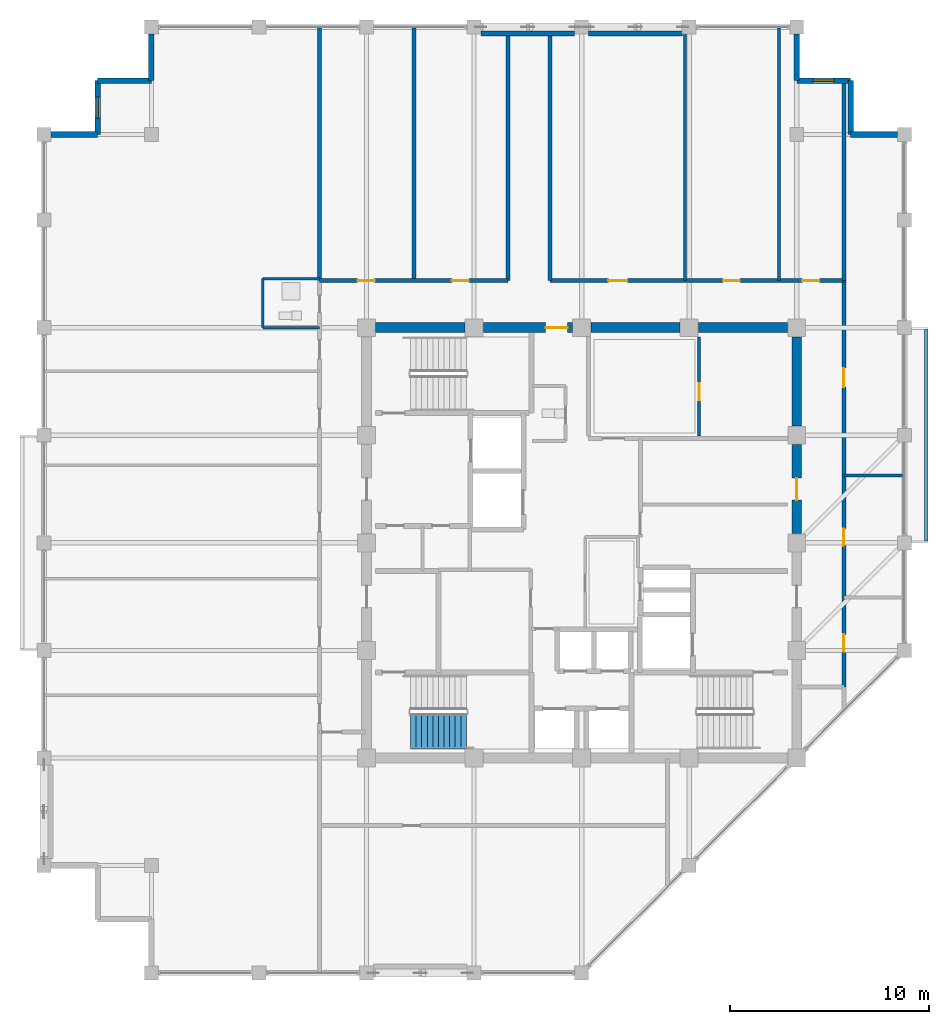
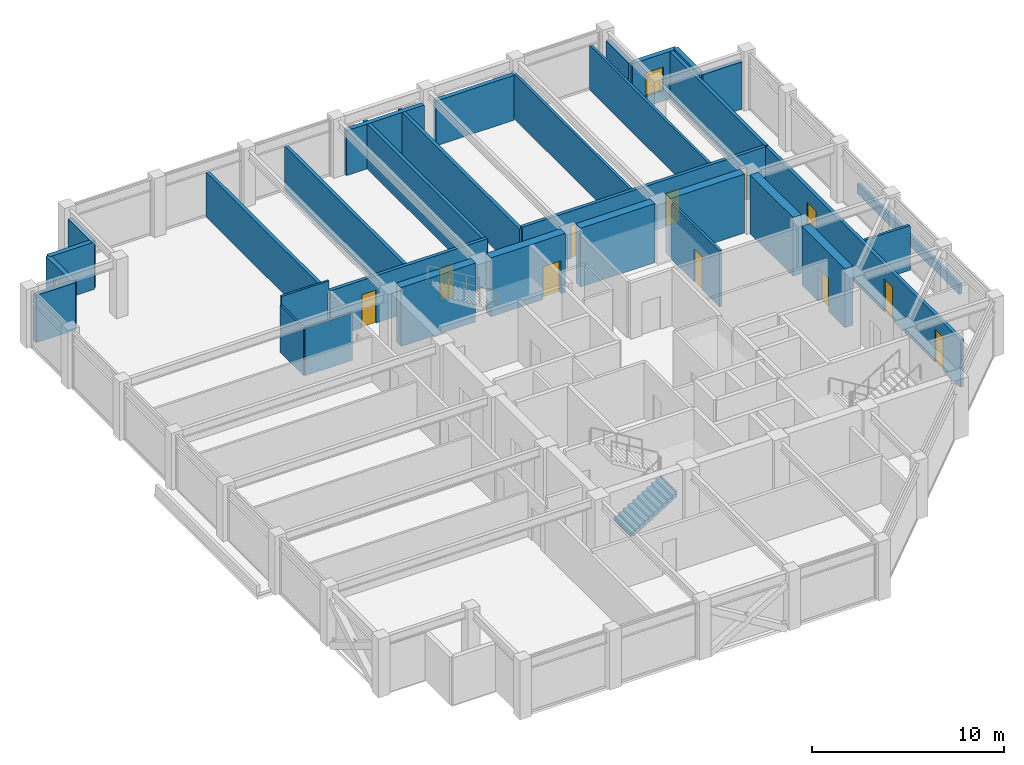
# One storey, part 27 of 30: 32 walls, 11 doors, 2 windows, 1 stair flight, 13 openings, 1 element without a shape of its own.
"""IFC4 building model written with IfcOpenShell, lengths in metres."""

from ifc_helpers import new_model, si_unit, direction, frame, frame_2d, origin, place, context, subcontext, project, spatial, polyline, rectangle, outline, extrude, material, layer, layer_set, type_object, element, fill, aggregate, save


model = new_model("IFC4")

# Units and contexts
model_context = context("Model", 3, precision=1e-05, world=origin(), true_north=direction((0.0, 1.0)))
body_context = subcontext(model_context, "Body", "Model", "MODEL_VIEW")
ifc_project = project(units=[si_unit("LENGTHUNIT", "METRE"), si_unit("AREAUNIT", "SQUARE_METRE"), si_unit("VOLUMEUNIT", "CUBIC_METRE"), si_unit("PLANEANGLEUNIT", "RADIAN"), si_unit("MASSUNIT", "GRAM", prefix="KILO")], contexts=[model_context])

# Site, building, storey
site_placement = place(None, origin())
site = spatial("IfcSite", under=ifc_project, at=site_placement, CompositionType="ELEMENT")
building_placement = place(site_placement, origin())
building = spatial("IfcBuilding", under=site, at=building_placement, Name="Surkhivell Harbour Commons", CompositionType="ELEMENT")
storey_placement = place(building_placement, frame((0.0, 0.0, 281.25)))
storey = spatial("IfcBuildingStorey", under=building, at=storey_placement, Name="L73", CompositionType="ELEMENT", Elevation=281.25)

# Wall
ifc_material_1 = material(Name="Concrete C50/60", Category="concrete")
ifc_layer_1 = layer(ifc_material_1, 0.5)
ifc_layer_set_1 = layer_set([ifc_layer_1], Name="Concrete C50/60")
wall_type_1 = type_object("IfcWallType", Name="WAL-CORE-500", PredefinedType="SHEAR", material=ifc_layer_set_1)
wall_1_placement = place(storey_placement, frame((-10.340087890625, 10.800048828125, 0.0), z_axis=(0.0, 0.0, 1.0), x_axis=(1.0, 0.0, 0.0)))
element("IfcWall", 1, at=wall_1_placement, inside=storey, type_object=wall_type_1, Name="L73 Core Shear Wall North 1", PredefinedType="SHEAR", context=body_context, shape_type="SweptSolid", body=[
    extrude(rectangle(XDim=4.47998046875, YDim=0.5, at=frame_2d((2.239990234375, 0.0))), origin(), (0.0, 0.0, 1.0), 3.75),
])

# Wall, opening, door
wall_2_placement = place(storey_placement, frame((-4.93994140625, 10.800048828125, 0.0), z_axis=(0.0, 0.0, 1.0), x_axis=(1.0, 0.0, 0.0)))
wall_2 = element("IfcWall", 2, at=wall_2_placement, inside=storey, type_object=wall_type_1, Name="L73 Core Shear Wall North 2", PredefinedType="SHEAR", context=body_context, shape_type="SweptSolid", body=[
    extrude(rectangle(XDim=4.47998046875, YDim=0.5, at=frame_2d((2.239990234375, 0.0))), origin(), (0.0, 0.0, 1.0), 3.75),
])
opening_1_placement = place(wall_2_placement, frame((3.1298828125, 0.0, 0.0)))
opening_1 = element("IfcOpeningElement", 3, at=opening_1_placement, cuts=wall_2, Name="Opening ID-2", PredefinedType="OPENING", context=body_context, shape_type="SweptSolid", body=[
    extrude(rectangle(XDim=1.10009765625, YDim=2.10009765625, at=frame_2d((0.550048828125, 1.050048828125))), frame((0.0, 0.260009765625, 0.0), z_axis=(0.0, -1.0, 0.0), x_axis=(1.0, 0.0, 0.0)), (0.0, 0.0, 1.0), 0.52001953125),
])
ifc_material_2 = material(Name="Hardwood-veneered fire-rated door leaf", Category="wood")
door_type_1 = type_object("IfcDoorType", Name="DOR-FD60-1100", OperationType="NOTDEFINED", PredefinedType="DOOR", material=ifc_material_2)
door_1_placement = place(opening_1_placement, origin())
door_1 = element("IfcDoor", 4, at=door_1_placement, inside=storey, type_object=door_type_1, Name="L73 Central Core Lift Hall North Corridor Door", OperationType="SINGLE_SWING_LEFT", OverallHeight=2.10009765625, OverallWidth=1.10009765625, PredefinedType="DOOR", context=body_context, shape_type="SweptSolid", body=[
    extrude(rectangle(XDim=1.10009765625, YDim=2.10009765625, at=frame_2d((0.550048828125, 1.050048828125))), frame((0.0, 0.02490234375, 0.0), z_axis=(0.0, -1.0, 0.0), x_axis=(1.0, 0.0, 0.0)), (0.0, 0.0, 1.0), 0.050048828125),
])
fill(opening_1, door_1)

# Wall
wall_3_placement = place(storey_placement, frame((0.4599609375, 10.800048828125, 0.0), z_axis=(0.0, 0.0, 1.0), x_axis=(1.0, 0.0, 0.0)))
element("IfcWall", 5, at=wall_3_placement, inside=storey, type_object=wall_type_1, Name="L73 Core Shear Wall North 3", PredefinedType="SHEAR", context=body_context, shape_type="SweptSolid", body=[
    extrude(rectangle(XDim=4.47998046875, YDim=0.5, at=frame_2d((2.239990234375, 0.0))), origin(), (0.0, 0.0, 1.0), 3.75),
])

# Wall, opening, door
wall_4_placement = place(storey_placement, frame((10.800048828125, 0.4599609375, 0.0), z_axis=(0.0, 0.0, 1.0), x_axis=(0.0, 1.0, 0.0)))
wall_4 = element("IfcWall", 6, at=wall_4_placement, inside=storey, type_object=wall_type_1, Name="L73 Core Shear Wall East 3", PredefinedType="SHEAR", context=body_context, shape_type="SweptSolid", body=[
    extrude(rectangle(XDim=4.47998046875, YDim=0.5, at=frame_2d((2.239990234375, 0.0))), origin(), (0.0, 0.0, 1.0), 3.75),
])
opening_2_placement = place(wall_4_placement, frame((1.68994140625, 0.0, 0.0)))
opening_2 = element("IfcOpeningElement", 7, at=opening_2_placement, cuts=wall_4, Name="Opening ID-2", PredefinedType="OPENING", context=body_context, shape_type="SweptSolid", body=[
    extrude(rectangle(XDim=1.10009765625, YDim=2.10009765625, at=frame_2d((0.550048828125, 1.050048828125))), frame((0.0, 0.260009765625, 0.0), z_axis=(0.0, -1.0, 0.0), x_axis=(1.0, 0.0, 0.0)), (0.0, 0.0, 1.0), 0.52001953125),
])
door_2_placement = place(opening_2_placement, origin())
door_2 = element("IfcDoor", 8, at=door_2_placement, inside=storey, type_object=door_type_1, Name="L73 Quiet Study B East Door", OperationType="SINGLE_SWING_RIGHT", OverallHeight=2.10009765625, OverallWidth=1.10009765625, PredefinedType="DOOR", context=body_context, shape_type="SweptSolid", body=[
    extrude(rectangle(XDim=1.10009765625, YDim=2.10009765625, at=frame_2d((0.550048828125, 1.050048828125))), frame((0.0, 0.02490234375, 0.0), z_axis=(0.0, -1.0, 0.0), x_axis=(1.0, 0.0, 0.0)), (0.0, 0.0, 1.0), 0.050048828125),
])
fill(opening_2, door_2)

# Walls
for number, where, z_axis, x_axis, name in (
    (9, (5.860107421875, 10.800048828125, 0.0), (0.0, 0.0, 1.0), (1.0, 0.0, 0.0), "L73 Core Shear Wall North 4"),
    (10, (10.800048828125, 5.860107421875, 0.0), (0.0, 0.0, 1.0), (0.0, 1.0, 0.0), "L73 Core Shear Wall East 4"),
):
    element("IfcWall", number, at=place(storey_placement, frame(where, z_axis=z_axis, x_axis=x_axis)), inside=storey, type_object=wall_type_1, Name=name, PredefinedType="SHEAR", context=body_context, shape_type="SweptSolid", body=[
        extrude(rectangle(XDim=4.47998046875, YDim=0.5, at=frame_2d((2.239990234375, 0.0))), origin(), (0.0, 0.0, 1.0), 3.75),
    ])
ifc_material_3 = material(Name="Pale-metal insulated precast concrete C45/55", Category="concrete")
ifc_layer_2 = layer(ifc_material_3, 0.260009765625)
ifc_layer_set_2 = layer_set([ifc_layer_2], Name="Pale-metal insulated precast concrete C45/55")
wall_type_2 = type_object("IfcWallType", Name="WAL-EXT-MTL260", PredefinedType="STANDARD", material=ifc_layer_set_2)
for number, where, z_axis, x_axis, name in (
    (11, (-0.347900390625, 25.56494140625, 0.0), (0.0, 0.0, 1.0), (-1.0, 0.0, 0.0), "L73 Braced-Bay Insulated Spandrel Backing N"),
    (12, (5.052001953125, 25.56494140625, 0.0), (0.0, 0.0, 1.0), (-1.0, 0.0, 0.0), "L73 Braced-Bay Insulated Spandrel Backing N2"),
):
    element("IfcWall", number, at=place(storey_placement, frame(where, z_axis=z_axis, x_axis=x_axis)), inside=storey, type_object=wall_type_2, Name=name, PredefinedType="STANDARD", context=body_context, shape_type="SweptSolid", body=[
        extrude(rectangle(XDim=4.7041015625, YDim=0.260009765625, at=frame_2d((2.35205078125, 0.0))), origin(), (0.0, 0.0, 1.0), 2.85693359375),
    ])
ifc_material_4 = material(Name="Terracotta-clad reinforced concrete C45/55", Category="masonry")
ifc_layer_3 = layer(ifc_material_4, 0.280029296875)
ifc_layer_set_3 = layer_set([ifc_layer_3], Name="Terracotta-clad reinforced concrete C45/55")
wall_type_3 = type_object("IfcWallType", Name="WAL-EXT-TER280", PredefinedType="STANDARD", material=ifc_layer_set_3)
wall_5_placement = place(storey_placement, frame((15.85205078125, 20.5, 0.0), z_axis=(0.0, 0.0, 1.0), x_axis=(-1.0, 0.0, 0.0)))
element("IfcWall", 13, at=wall_5_placement, inside=storey, type_object=wall_type_3, Name="L73 Serrated Corner Facade Wall 03", PredefinedType="STANDARD", context=body_context, shape_type="SweptSolid", body=[
    extrude(rectangle(XDim=2.35205078125, YDim=0.280029296875, at=frame_2d((1.176025390625, 0.0))), origin(), (0.0, 0.0, 1.0), 3.012939453125),
])
wall_6_placement = place(storey_placement, frame((13.5, 20.5, 0.0), z_axis=(0.0, 0.0, 1.0), x_axis=(0.0, 1.0, 0.0)))
element("IfcWall", 14, at=wall_6_placement, inside=storey, type_object=wall_type_3, Name="L73 Serrated Corner Facade Wall 04", PredefinedType="STANDARD", context=body_context, shape_type="SweptSolid", body=[
    extrude(rectangle(XDim=2.699951171875, YDim=0.280029296875, at=frame_2d((1.35009765625, 0.0))), origin(), (0.0, 0.0, 1.0), 3.012939453125),
])

# Wall, opening, window
wall_7_placement = place(storey_placement, frame((13.5, 23.199951171875, 0.0), z_axis=(0.0, 0.0, 1.0), x_axis=(-1.0, 0.0, 0.0)))
wall_7 = element("IfcWall", 15, at=wall_7_placement, inside=storey, type_object=wall_type_3, Name="L73 Serrated Corner Facade Wall 05", PredefinedType="STANDARD", context=body_context, shape_type="SweptSolid", body=[
    extrude(rectangle(XDim=2.699951171875, YDim=0.280029296875, at=frame_2d((1.35009765625, 0.0))), origin(), (0.0, 0.0, 1.0), 3.012939453125),
])
opening_3_placement = place(wall_7_placement, frame((0.824951171875, 0.0, 0.64990234375)))
opening_3 = element("IfcOpeningElement", 16, at=opening_3_placement, cuts=wall_7, Name="Opening WN-11", PredefinedType="OPENING", context=body_context, shape_type="SweptSolid", body=[
    extrude(rectangle(XDim=1.050048828125, YDim=1.5, at=frame_2d((0.52490234375, 0.75))), frame((0.0, 0.14990234375, 0.0), z_axis=(0.0, -1.0, 0.0), x_axis=(1.0, 0.0, 0.0)), (0.0, 0.0, 1.0), 0.300048828125),
])
ifc_material_5 = material(Name="Thermal-break aluminium frame and double low-E glazing", Category="aluminium")
window_type = type_object("IfcWindowType", Name="WIN-SER-1050x1500", PartitioningType="SINGLE_PANEL", PredefinedType="WINDOW", material=ifc_material_5)
window_1_placement = place(opening_3_placement, origin())
window_1 = element("IfcWindow", 17, at=window_1_placement, inside=storey, type_object=window_type, Name="L73 Serrated Alcove Window 05", OverallHeight=1.5, OverallWidth=1.050048828125, PartitioningType="SINGLE_PANEL", PredefinedType="WINDOW", context=body_context, shape_type="SweptSolid", body=[
    extrude(rectangle(XDim=1.050048828125, YDim=1.5, at=frame_2d((0.52490234375, 0.75))), frame((0.0, 0.030029296875, 0.0), z_axis=(0.0, -1.0, 0.0), x_axis=(1.0, 0.0, 0.0)), (0.0, 0.0, 1.0), 0.06005859375),
])
fill(opening_3, window_1)

# Walls
for number, where, z_axis, x_axis, name in (
    (18, (10.800048828125, 23.199951171875, 0.0), (0.0, 0.0, 1.0), (0.0, 1.0, 0.0), "L73 Serrated Corner Facade Wall 06"),
    (19, (-21.60009765625, 25.552001953125, 0.0), (0.0, 0.0, 1.0), (0.0, -1.0, 0.0), "L73 Serrated Corner Facade Wall 08"),
):
    element("IfcWall", number, at=place(storey_placement, frame(where, z_axis=z_axis, x_axis=x_axis)), inside=storey, type_object=wall_type_3, Name=name, PredefinedType="STANDARD", context=body_context, shape_type="SweptSolid", body=[
        extrude(rectangle(XDim=2.35205078125, YDim=0.280029296875, at=frame_2d((1.176025390625, 0.0))), origin(), (0.0, 0.0, 1.0), 3.012939453125),
    ])
wall_8_placement = place(storey_placement, frame((-21.60009765625, 23.199951171875, 0.0), z_axis=(0.0, 0.0, 1.0), x_axis=(-1.0, 0.0, 0.0)))
element("IfcWall", 20, at=wall_8_placement, inside=storey, type_object=wall_type_3, Name="L73 Serrated Corner Facade Wall 09", PredefinedType="STANDARD", context=body_context, shape_type="SweptSolid", body=[
    extrude(rectangle(XDim=2.699951171875, YDim=0.280029296875, at=frame_2d((1.35009765625, 0.0))), origin(), (0.0, 0.0, 1.0), 3.012939453125),
])

# Wall, opening, window
wall_9_placement = place(storey_placement, frame((-24.300048828125, 23.199951171875, 0.0), z_axis=(0.0, 0.0, 1.0), x_axis=(0.0, -1.0, 0.0)))
wall_9 = element("IfcWall", 21, at=wall_9_placement, inside=storey, type_object=wall_type_3, Name="L73 Serrated Corner Facade Wall 10", PredefinedType="STANDARD", context=body_context, shape_type="SweptSolid", body=[
    extrude(rectangle(XDim=2.699951171875, YDim=0.280029296875, at=frame_2d((1.35009765625, 0.0))), origin(), (0.0, 0.0, 1.0), 3.012939453125),
])
opening_4_placement = place(wall_9_placement, frame((0.824951171875, 0.0, 0.64990234375)))
opening_4 = element("IfcOpeningElement", 22, at=opening_4_placement, cuts=wall_9, Name="Opening WN-11", PredefinedType="OPENING", context=body_context, shape_type="SweptSolid", body=[
    extrude(rectangle(XDim=1.050048828125, YDim=1.5, at=frame_2d((0.52490234375, 0.75))), frame((0.0, 0.14990234375, 0.0), z_axis=(0.0, -1.0, 0.0), x_axis=(1.0, 0.0, 0.0)), (0.0, 0.0, 1.0), 0.300048828125),
])
window_2_placement = place(opening_4_placement, origin())
window_2 = element("IfcWindow", 23, at=window_2_placement, inside=storey, type_object=window_type, Name="L73 Serrated Alcove Window 10", OverallHeight=1.5, OverallWidth=1.050048828125, PartitioningType="SINGLE_PANEL", PredefinedType="WINDOW", context=body_context, shape_type="SweptSolid", body=[
    extrude(rectangle(XDim=1.050048828125, YDim=1.5, at=frame_2d((0.52490234375, 0.75))), frame((0.0, 0.030029296875, 0.0), z_axis=(0.0, -1.0, 0.0), x_axis=(1.0, 0.0, 0.0)), (0.0, 0.0, 1.0), 0.06005859375),
])
fill(opening_4, window_2)

# Walls
wall_10_placement = place(storey_placement, frame((-24.300048828125, 20.5, 0.0), z_axis=(0.0, 0.0, 1.0), x_axis=(-1.0, 0.0, 0.0)))
element("IfcWall", 24, at=wall_10_placement, inside=storey, type_object=wall_type_3, Name="L73 Serrated Corner Facade Wall 11", PredefinedType="STANDARD", context=body_context, shape_type="SweptSolid", body=[
    extrude(rectangle(XDim=2.35205078125, YDim=0.280029296875, at=frame_2d((1.176025390625, 0.0))), origin(), (0.0, 0.0, 1.0), 3.012939453125),
])
ifc_material_6 = material(Name="Moisture-resistant acoustic stud partition", Category="other")
ifc_layer_4 = layer(ifc_material_6, 0.125)
ifc_layer_set_4 = layer_set([ifc_layer_4], Name="Moisture-resistant acoustic stud partition")
wall_type_4 = type_object("IfcWallType", Name="WAL-INT-125", PredefinedType="PARTITIONING", material=ifc_layer_set_4)
wall_11_placement = place(storey_placement, frame((-16.010009765625, 10.81005859375, 0.0), z_axis=(0.0, 0.0, 1.0), x_axis=(0.0, 1.0, 0.0)))
element("IfcWall", 25, at=wall_11_placement, inside=storey, type_object=wall_type_4, Name="L73 West Partition BTHB", PredefinedType="PARTITIONING", context=body_context, shape_type="SweptSolid", body=[
    extrude(rectangle(XDim=2.449951171875, YDim=0.125, at=frame_2d((1.22509765625, 0.0))), origin(), (0.0, 0.0, 1.0), 3.012939453125),
])
wall_12_placement = place(storey_placement, frame((-16.010009765625, 13.260009765625, 0.0), z_axis=(0.0, 0.0, 1.0), x_axis=(1.0, 0.0, 0.0)))
element("IfcWall", 26, at=wall_12_placement, inside=storey, type_object=wall_type_4, Name="L73 West Partition BTHN", PredefinedType="PARTITIONING", context=body_context, shape_type="SweptSolid", body=[
    extrude(rectangle(XDim=2.85009765625, YDim=0.125, at=frame_2d((1.425048828125, 0.0))), origin(), (0.0, 0.0, 1.0), 3.570068359375),
])
wall_13_placement = place(storey_placement, frame((-16.010009765625, 10.81005859375, 0.0), z_axis=(0.0, 0.0, 1.0), x_axis=(1.0, 0.0, 0.0)))
element("IfcWall", 27, at=wall_13_placement, inside=storey, type_object=wall_type_4, Name="L73 West Partition BTHS", PredefinedType="PARTITIONING", context=body_context, shape_type="SweptSolid", body=[
    extrude(rectangle(XDim=2.85009765625, YDim=0.125, at=frame_2d((1.425048828125, 0.0))), origin(), (0.0, 0.0, 1.0), 3.012939453125),
])

# Wall, opening, door
ifc_material_7 = material(Name="Twin-stud acoustic fireboard partition", Category="other")
ifc_layer_5 = layer(ifc_material_7, 0.14990234375)
ifc_layer_set_5 = layer_set([ifc_layer_5], Name="Twin-stud acoustic fireboard partition")
wall_type_5 = type_object("IfcWallType", Name="WAL-INT-150", PredefinedType="PARTITIONING", material=ifc_layer_set_5)
wall_14_placement = place(storey_placement, frame((5.89990234375, 5.360107421875, 0.0), z_axis=(0.0, 0.0, 1.0), x_axis=(0.0, 1.0, 0.0)))
wall_14 = element("IfcWall", 28, at=wall_14_placement, inside=storey, type_object=wall_type_5, Name="L73 Study Pod Wall 1", PredefinedType="PARTITIONING", context=body_context, shape_type="SweptSolid", body=[
    extrude(rectangle(XDim=4.97998046875, YDim=0.14990234375, at=frame_2d((2.489990234375, 0.0))), origin(), (0.0, 0.0, 1.0), 3.570068359375),
])
opening_5_placement = place(wall_14_placement, frame((1.800048828125, 0.0, 0.0)))
opening_5 = element("IfcOpeningElement", 29, at=opening_5_placement, cuts=wall_14, Name="Opening ID-6", PredefinedType="OPENING", context=body_context, shape_type="SweptSolid", body=[
    extrude(rectangle(XDim=0.85009765625, YDim=2.10009765625, at=frame_2d((0.425048828125, 1.050048828125))), frame((0.0, 0.0849609375, 0.0), z_axis=(0.0, -1.0, 0.0), x_axis=(1.0, 0.0, 0.0)), (0.0, 0.0, 1.0), 0.169921875),
])
door_type_2 = type_object("IfcDoorType", Name="DOR-FD30-850", OperationType="NOTDEFINED", PredefinedType="DOOR", material=ifc_material_2)
door_3_placement = place(opening_5_placement, origin())
door_3 = element("IfcDoor", 30, at=door_3_placement, inside=storey, type_object=door_type_2, Name="L73 Core Music Door", OperationType="SINGLE_SWING_RIGHT", OverallHeight=2.10009765625, OverallWidth=0.85009765625, PredefinedType="DOOR", context=body_context, shape_type="SweptSolid", body=[
    extrude(rectangle(XDim=0.85009765625, YDim=2.10009765625, at=frame_2d((0.425048828125, 1.050048828125))), frame((0.0, 0.02490234375, 0.0), z_axis=(0.0, -1.0, 0.0), x_axis=(1.0, 0.0, 0.0)), (0.0, 0.0, 1.0), 0.050048828125),
])
fill(opening_5, door_3)

# Walls
wall_15_placement = place(storey_placement, frame((13.159912109375, 3.3701171875, 0.0), z_axis=(0.0, 0.0, 1.0), x_axis=(1.0, 0.0, 0.0)))
element("IfcWall", 31, at=wall_15_placement, inside=storey, type_object=wall_type_5, Name="L73 East Partition P2", PredefinedType="PARTITIONING", context=body_context, shape_type="SweptSolid", body=[
    extrude(rectangle(XDim=2.97998046875, YDim=0.14990234375, at=frame_2d((1.489990234375, 0.0))), origin(), (0.0, 0.0, 1.0), 2.85693359375),
])
for number, where, z_axis, x_axis, name in (
    (32, (5.18994140625, 13.159912109375, 0.0), (0.0, 0.0, 1.0), (0.0, 1.0, 0.0), "L73 North-East Partition P1"),
    (33, (9.909912109375, 13.159912109375, 0.0), (0.0, 0.0, 1.0), (0.0, 1.0, 0.0), "L73 North-East Partition P2"),
):
    element("IfcWall", number, at=place(storey_placement, frame(where, z_axis=z_axis, x_axis=x_axis)), inside=storey, type_object=wall_type_5, Name=name, PredefinedType="PARTITIONING", context=body_context, shape_type="SweptSolid", body=[
        extrude(rectangle(XDim=12.68017578125, YDim=0.14990234375, at=frame_2d((6.340087890625, 0.0))), origin(), (0.0, 0.0, 1.0), 2.85693359375),
    ])
ifc_material_8 = material(Name="Autoclaved aerated concrete blockwork and fire plaster", Category="masonry")
ifc_layer_6 = layer(ifc_material_8, 0.199951171875)
ifc_layer_set_6 = layer_set([ifc_layer_6], Name="Autoclaved aerated concrete blockwork and fire plaster")
wall_type_6 = type_object("IfcWallType", Name="WAL-INT-200", PredefinedType="PARTITIONING", material=ifc_layer_set_6)
wall_16_placement = place(storey_placement, frame((13.159912109375, 13.159912109375, 0.0), z_axis=(0.0, 0.0, 1.0), x_axis=(0.0, 1.0, 0.0)))
element("IfcWall", 34, at=wall_16_placement, inside=storey, type_object=wall_type_6, Name="L73 North-East Corner Wall", PredefinedType="PARTITIONING", context=body_context, shape_type="SweptSolid", body=[
    extrude(rectangle(XDim=9.97998046875, YDim=0.199951171875, at=frame_2d((4.989990234375, 0.0))), origin(), (0.0, 0.0, 1.0), 3.012939453125),
])
wall_17_placement = place(storey_placement, frame((-13.159912109375, 13.159912109375, 0.0), z_axis=(0.0, 0.0, 1.0), x_axis=(0.0, 1.0, 0.0)))
element("IfcWall", 35, at=wall_17_placement, inside=storey, type_object=wall_type_6, Name="L73 North-West Corner Wall", PredefinedType="PARTITIONING", context=body_context, shape_type="SweptSolid", body=[
    extrude(rectangle(XDim=12.68017578125, YDim=0.199951171875, at=frame_2d((6.340087890625, 0.0))), origin(), (0.0, 0.0, 1.0), 2.85693359375),
])

# Wall, openings, doors
wall_18_placement = place(storey_placement, frame((13.159912109375, -7.239990234375, 0.0), z_axis=(0.0, 0.0, 1.0), x_axis=(0.0, 1.0, 0.0)))
wall_18 = element("IfcWall", 36, at=wall_18_placement, inside=storey, type_object=wall_type_6, Name="L73 East Corridor Wall", PredefinedType="PARTITIONING", context=body_context, shape_type="SweptSolid", body=[
    extrude(rectangle(XDim=20.39990234375, YDim=0.199951171875, at=frame_2d((10.199951171875, 0.0))), origin(), (0.0, 0.0, 1.0), 3.012939453125),
])
opening_6_placement = place(wall_18_placement, frame((1.794921875, 0.0, 0.0)))
opening_6 = element("IfcOpeningElement", 37, at=opening_6_placement, cuts=wall_18, Name="Opening ID-6", PredefinedType="OPENING", context=body_context, shape_type="SweptSolid", body=[
    extrude(rectangle(XDim=0.85009765625, YDim=2.10009765625, at=frame_2d((0.425048828125, 1.050048828125))), frame((0.0, 0.10986328125, 0.0), z_axis=(0.0, -1.0, 0.0), x_axis=(1.0, 0.0, 0.0)), (0.0, 0.0, 1.0), 0.219970703125),
])
opening_7_placement = place(wall_18_placement, frame((7.10009765625, 0.0, 0.0)))
opening_7 = element("IfcOpeningElement", 38, at=opening_7_placement, cuts=wall_18, Name="Opening ID-6", PredefinedType="OPENING", context=body_context, shape_type="SweptSolid", body=[
    extrude(rectangle(XDim=0.85009765625, YDim=2.10009765625, at=frame_2d((0.425048828125, 1.050048828125))), frame((0.0, 0.10986328125, 0.0), z_axis=(0.0, -1.0, 0.0), x_axis=(1.0, 0.0, 0.0)), (0.0, 0.0, 1.0), 0.219970703125),
])
opening_8_placement = place(wall_18_placement, frame((15.054931640625, 0.0, 0.0)))
opening_8 = element("IfcOpeningElement", 39, at=opening_8_placement, cuts=wall_18, Name="Opening ID-4", PredefinedType="OPENING", context=body_context, shape_type="SweptSolid", body=[
    extrude(rectangle(XDim=0.949951171875, YDim=2.10009765625, at=frame_2d((0.47509765625, 1.050048828125))), frame((0.0, 0.10986328125, 0.0), z_axis=(0.0, -1.0, 0.0), x_axis=(1.0, 0.0, 0.0)), (0.0, 0.0, 1.0), 0.219970703125),
])
door_4_placement = place(opening_6_placement, origin())
door_4 = element("IfcDoor", 40, at=door_4_placement, inside=storey, type_object=door_type_2, Name="L73 Co-Working Study Office 1 East Door", OperationType="SINGLE_SWING_RIGHT", OverallHeight=2.10009765625, OverallWidth=0.85009765625, PredefinedType="DOOR", context=body_context, shape_type="SweptSolid", body=[
    extrude(rectangle(XDim=0.85009765625, YDim=2.10009765625, at=frame_2d((0.425048828125, 1.050048828125))), frame((0.0, 0.02490234375, 0.0), z_axis=(0.0, -1.0, 0.0), x_axis=(1.0, 0.0, 0.0)), (0.0, 0.0, 1.0), 0.050048828125),
])
fill(opening_6, door_4)
door_5_placement = place(opening_7_placement, origin())
door_5 = element("IfcDoor", 41, at=door_5_placement, inside=storey, type_object=door_type_2, Name="L73 Co-Working Study Office 2 East Door", OperationType="SINGLE_SWING_LEFT", OverallHeight=2.10009765625, OverallWidth=0.85009765625, PredefinedType="DOOR", context=body_context, shape_type="SweptSolid", body=[
    extrude(rectangle(XDim=0.85009765625, YDim=2.10009765625, at=frame_2d((0.425048828125, 1.050048828125))), frame((0.0, 0.02490234375, 0.0), z_axis=(0.0, -1.0, 0.0), x_axis=(1.0, 0.0, 0.0)), (0.0, 0.0, 1.0), 0.050048828125),
])
fill(opening_7, door_5)
door_type_3 = type_object("IfcDoorType", Name="DOR-FD60-950", OperationType="NOTDEFINED", PredefinedType="DOOR", material=ifc_material_2)
door_6_placement = place(opening_8_placement, origin())
door_6 = element("IfcDoor", 42, at=door_6_placement, inside=storey, type_object=door_type_3, Name="L73 Co-Working Study Office 3 East Door", OperationType="SINGLE_SWING_RIGHT", OverallHeight=2.10009765625, OverallWidth=0.949951171875, PredefinedType="DOOR", context=body_context, shape_type="SweptSolid", body=[
    extrude(rectangle(XDim=0.949951171875, YDim=2.10009765625, at=frame_2d((0.47509765625, 1.050048828125))), frame((0.0, 0.02490234375, 0.0), z_axis=(0.0, -1.0, 0.0), x_axis=(1.0, 0.0, 0.0)), (0.0, 0.0, 1.0), 0.050048828125),
])
fill(opening_8, door_6)

wall_19_placement = place(storey_placement, frame((-13.159912109375, 13.159912109375, 0.0), z_axis=(0.0, 0.0, 1.0), x_axis=(1.0, 0.0, 0.0)))
wall_19 = element("IfcWall", 43, at=wall_19_placement, inside=storey, type_object=wall_type_6, Name="L73 North-West Corridor Wall", PredefinedType="PARTITIONING", context=body_context, shape_type="SweptSolid", body=[
    extrude(rectangle(XDim=9.4599609375, YDim=0.199951171875, at=frame_2d((4.72998046875, 0.0))), origin(), (0.0, 0.0, 1.0), 3.012939453125),
])
opening_9_placement = place(wall_19_placement, frame((1.9150390625, 0.0, 0.0)))
opening_9 = element("IfcOpeningElement", 44, at=opening_9_placement, cuts=wall_19, Name="Opening ID-6", PredefinedType="OPENING", context=body_context, shape_type="SweptSolid", body=[
    extrude(rectangle(XDim=0.85009765625, YDim=2.10009765625, at=frame_2d((0.425048828125, 1.050048828125))), frame((0.0, 0.10986328125, 0.0), z_axis=(0.0, -1.0, 0.0), x_axis=(1.0, 0.0, 0.0)), (0.0, 0.0, 1.0), 0.219970703125),
])
opening_10_placement = place(wall_19_placement, frame((6.64501953125, 0.0, 0.0)))
opening_10 = element("IfcOpeningElement", 45, at=opening_10_placement, cuts=wall_19, Name="Opening ID-6", PredefinedType="OPENING", context=body_context, shape_type="SweptSolid", body=[
    extrude(rectangle(XDim=0.85009765625, YDim=2.10009765625, at=frame_2d((0.425048828125, 1.050048828125))), frame((0.0, 0.10986328125, 0.0), z_axis=(0.0, -1.0, 0.0), x_axis=(1.0, 0.0, 0.0)), (0.0, 0.0, 1.0), 0.219970703125),
])
door_7_placement = place(opening_9_placement, origin())
door_7 = element("IfcDoor", 46, at=door_7_placement, inside=storey, type_object=door_type_2, Name="L73 Campus Co-Op Bookshop North-West Door", OperationType="SINGLE_SWING_LEFT", OverallHeight=2.10009765625, OverallWidth=0.85009765625, PredefinedType="DOOR", context=body_context, shape_type="SweptSolid", body=[
    extrude(rectangle(XDim=0.85009765625, YDim=2.10009765625, at=frame_2d((0.425048828125, 1.050048828125))), frame((0.0, 0.02490234375, 0.0), z_axis=(0.0, -1.0, 0.0), x_axis=(1.0, 0.0, 0.0)), (0.0, 0.0, 1.0), 0.050048828125),
])
fill(opening_9, door_7)
door_8_placement = place(opening_10_placement, origin())
door_8 = element("IfcDoor", 47, at=door_8_placement, inside=storey, type_object=door_type_2, Name="L73 Harbour Espresso Cafe Shop North-West Door", OperationType="SINGLE_SWING_RIGHT", OverallHeight=2.10009765625, OverallWidth=0.85009765625, PredefinedType="DOOR", context=body_context, shape_type="SweptSolid", body=[
    extrude(rectangle(XDim=0.85009765625, YDim=2.10009765625, at=frame_2d((0.425048828125, 1.050048828125))), frame((0.0, 0.02490234375, 0.0), z_axis=(0.0, -1.0, 0.0), x_axis=(1.0, 0.0, 0.0)), (0.0, 0.0, 1.0), 0.050048828125),
])
fill(opening_10, door_8)

wall_20_placement = place(storey_placement, frame((-1.60009765625, 13.159912109375, 0.0), z_axis=(0.0, 0.0, 1.0), x_axis=(1.0, 0.0, 0.0)))
wall_20 = element("IfcWall", 48, at=wall_20_placement, inside=storey, type_object=wall_type_6, Name="L73 North-East Corridor Wall", PredefinedType="PARTITIONING", context=body_context, shape_type="SweptSolid", body=[
    extrude(rectangle(XDim=14.760009765625, YDim=0.199951171875, at=frame_2d((7.3798828125, 0.0))), origin(), (0.0, 0.0, 1.0), 3.012939453125),
])
opening_11_placement = place(wall_20_placement, frame((2.945068359375, 0.0, 0.0)))
opening_11 = element("IfcOpeningElement", 49, at=opening_11_placement, cuts=wall_20, Name="Opening ID-4", PredefinedType="OPENING", context=body_context, shape_type="SweptSolid", body=[
    extrude(rectangle(XDim=0.949951171875, YDim=2.10009765625, at=frame_2d((0.47509765625, 1.050048828125))), frame((0.0, 0.10986328125, 0.0), z_axis=(0.0, -1.0, 0.0), x_axis=(1.0, 0.0, 0.0)), (0.0, 0.0, 1.0), 0.219970703125),
])
opening_12_placement = place(wall_20_placement, frame((8.699951171875, 0.0, 0.0)))
opening_12 = element("IfcOpeningElement", 50, at=opening_12_placement, cuts=wall_20, Name="Opening ID-6", PredefinedType="OPENING", context=body_context, shape_type="SweptSolid", body=[
    extrude(rectangle(XDim=0.85009765625, YDim=2.10009765625, at=frame_2d((0.425048828125, 1.050048828125))), frame((0.0, 0.10986328125, 0.0), z_axis=(0.0, -1.0, 0.0), x_axis=(1.0, 0.0, 0.0)), (0.0, 0.0, 1.0), 0.219970703125),
])
opening_13_placement = place(wall_20_placement, frame((12.68505859375, 0.0, 0.0)))
opening_13 = element("IfcOpeningElement", 51, at=opening_13_placement, cuts=wall_20, Name="Opening ID-6", PredefinedType="OPENING", context=body_context, shape_type="SweptSolid", body=[
    extrude(rectangle(XDim=0.85009765625, YDim=2.10009765625, at=frame_2d((0.425048828125, 1.050048828125))), frame((0.0, 0.10986328125, 0.0), z_axis=(0.0, -1.0, 0.0), x_axis=(1.0, 0.0, 0.0)), (0.0, 0.0, 1.0), 0.219970703125),
])
door_9_placement = place(opening_12_placement, origin())
door_9 = element("IfcDoor", 52, at=door_9_placement, inside=storey, type_object=door_type_2, Name="L73 Resident Social Lounge 2 North-East Door", OperationType="SINGLE_SWING_RIGHT", OverallHeight=2.10009765625, OverallWidth=0.85009765625, PredefinedType="DOOR", context=body_context, shape_type="SweptSolid", body=[
    extrude(rectangle(XDim=0.85009765625, YDim=2.10009765625, at=frame_2d((0.425048828125, 1.050048828125))), frame((0.0, 0.02490234375, 0.0), z_axis=(0.0, -1.0, 0.0), x_axis=(1.0, 0.0, 0.0)), (0.0, 0.0, 1.0), 0.050048828125),
])
fill(opening_12, door_9)
door_10_placement = place(opening_13_placement, origin())
door_10 = element("IfcDoor", 53, at=door_10_placement, inside=storey, type_object=door_type_2, Name="L73 Resident Social Lounge 3 North-East Door", OperationType="SINGLE_SWING_LEFT", OverallHeight=2.10009765625, OverallWidth=0.85009765625, PredefinedType="DOOR", context=body_context, shape_type="SweptSolid", body=[
    extrude(rectangle(XDim=0.85009765625, YDim=2.10009765625, at=frame_2d((0.425048828125, 1.050048828125))), frame((0.0, 0.02490234375, 0.0), z_axis=(0.0, -1.0, 0.0), x_axis=(1.0, 0.0, 0.0)), (0.0, 0.0, 1.0), 0.050048828125),
])
fill(opening_13, door_10)
door_11_placement = place(opening_11_placement, origin())
door_11 = element("IfcDoor", 54, at=door_11_placement, inside=storey, type_object=door_type_3, Name="L73 Resident Social Lounge 1 North-East Door", OperationType="SINGLE_SWING_LEFT", OverallHeight=2.10009765625, OverallWidth=0.949951171875, PredefinedType="DOOR", context=body_context, shape_type="SweptSolid", body=[
    extrude(rectangle(XDim=0.949951171875, YDim=2.10009765625, at=frame_2d((0.47509765625, 1.050048828125))), frame((0.0, 0.02490234375, 0.0), z_axis=(0.0, -1.0, 0.0), x_axis=(1.0, 0.0, 0.0)), (0.0, 0.0, 1.0), 0.050048828125),
])
fill(opening_11, door_11)

# Walls
for number, where, z_axis, x_axis, name in (
    (55, (-1.60009765625, 13.159912109375, 0.0), (0.0, 0.0, 1.0), (0.0, 1.0, 0.0), "L73 North Spur East Wall"),
    (56, (-3.699951171875, 13.159912109375, 0.0), (0.0, 0.0, 1.0), (0.0, 1.0, 0.0), "L73 North Spur West Wall"),
    (57, (-8.429931640625, 13.159912109375, 0.0), (0.0, 0.0, 1.0), (0.0, 1.0, 0.0), "L73 North-West Partition P1"),
):
    element("IfcWall", number, at=place(storey_placement, frame(where, z_axis=z_axis, x_axis=x_axis)), inside=storey, type_object=wall_type_6, Name=name, PredefinedType="PARTITIONING", context=body_context, shape_type="SweptSolid", body=[
        extrude(rectangle(XDim=12.68017578125, YDim=0.199951171875, at=frame_2d((6.340087890625, 0.0))), origin(), (0.0, 0.0, 1.0), 2.85693359375),
    ])
ifc_material_9 = material(Name="Anodised aluminium and precast concrete C40/50", Category="concrete")
ifc_layer_7 = layer(ifc_material_9, 0.18505859375)
ifc_layer_set_7 = layer_set([ifc_layer_7], Name="Anodised aluminium and precast concrete C40/50")
wall_type_7 = type_object("IfcWallType", Name="WAL-PAR-185", PredefinedType="PARAPET", material=ifc_layer_set_7)
wall_21_placement = place(storey_placement, frame((17.300048828125, 0.10009765625, 0.0), z_axis=(0.0, 0.0, 1.0), x_axis=(0.0, 1.0, 0.0)))
element("IfcWall", 58, at=wall_21_placement, inside=storey, type_object=wall_type_7, Name="L73 Box Roof Coping Parapet 1-1", PredefinedType="PARAPET", context=body_context, shape_type="SweptSolid", body=[
    extrude(rectangle(XDim=10.599853515625, YDim=0.18505859375, at=frame_2d((5.2998046875, 0.0))), origin(), (0.0, 0.0, 1.0), 0.64990234375),
])

# Stair, stair flight
ifc_material_10 = material(Name="Precast concrete C45/55", Category="concrete")
stair_type = type_object("IfcStairType", Name="STR-DL-375", PredefinedType="HALF_TURN_STAIR", material=ifc_material_10)
stair_placement = place(storey_placement, origin())
stair = element("IfcStair", 59, at=stair_placement, inside=storey, type_object=stair_type, Name="L73 Core Exit Stair ST3", PredefinedType="HALF_TURN_STAIR")
stair_flight_type = type_object("IfcStairFlightType", Name="STF-DL-375", PredefinedType="STRAIGHT", material=ifc_material_10)
stair_flight_placement = place(storey_placement, frame((-8.590087890625, -9.465087890625, 0.0), z_axis=(0.0, 0.0, 1.0), x_axis=(1.0, 0.0, 0.0)))
stair_flight = element("IfcStairFlight", 60, at=stair_flight_placement, type_object=stair_flight_type, Name="ST3 flight 1", NumberOfRisers=11, NumberOfTreads=10, PredefinedType="STRAIGHT", RiserHeight=0.170454545, TreadLength=0.28, context=body_context, shape_type="SweptSolid", body=[
    extrude(outline(polyline([(-0.0029296875, -0.034912109375), (-0.0029296875, 0.0), (0.0, 0.0), (0.0, 0.17041015625), (0.280029296875, 0.17041015625), (0.280029296875, 0.3408203125), (0.56005859375, 0.3408203125), (0.56005859375, 0.511474609375), (0.840087890625, 0.511474609375), (0.840087890625, 0.681884765625), (1.1201171875, 0.681884765625), (1.1201171875, 0.852294921875), (1.39990234375, 0.852294921875), (1.39990234375, 1.022705078125), (1.679931640625, 1.022705078125), (1.679931640625, 1.193115234375), (1.9599609375, 1.193115234375), (1.9599609375, 1.363525390625), (2.239990234375, 1.363525390625), (2.239990234375, 1.5341796875), (2.52001953125, 1.5341796875), (2.52001953125, 1.70458984375), (2.800048828125, 1.70458984375), (2.800048828125, 1.875), (2.802978515625, 1.875), (2.802978515625, 1.529052734375), (0.288330078125, -0.034912109375), (-0.0029296875, -0.034912109375)])), frame((0.0, 0.875, 0.0), z_axis=(0.0, -1.0, 0.0), x_axis=(1.0, 0.0, 0.0)), (0.0, 0.0, 1.0), 1.75),
])
aggregate(stair, [stair_flight])

save(model, "model.ifc")
